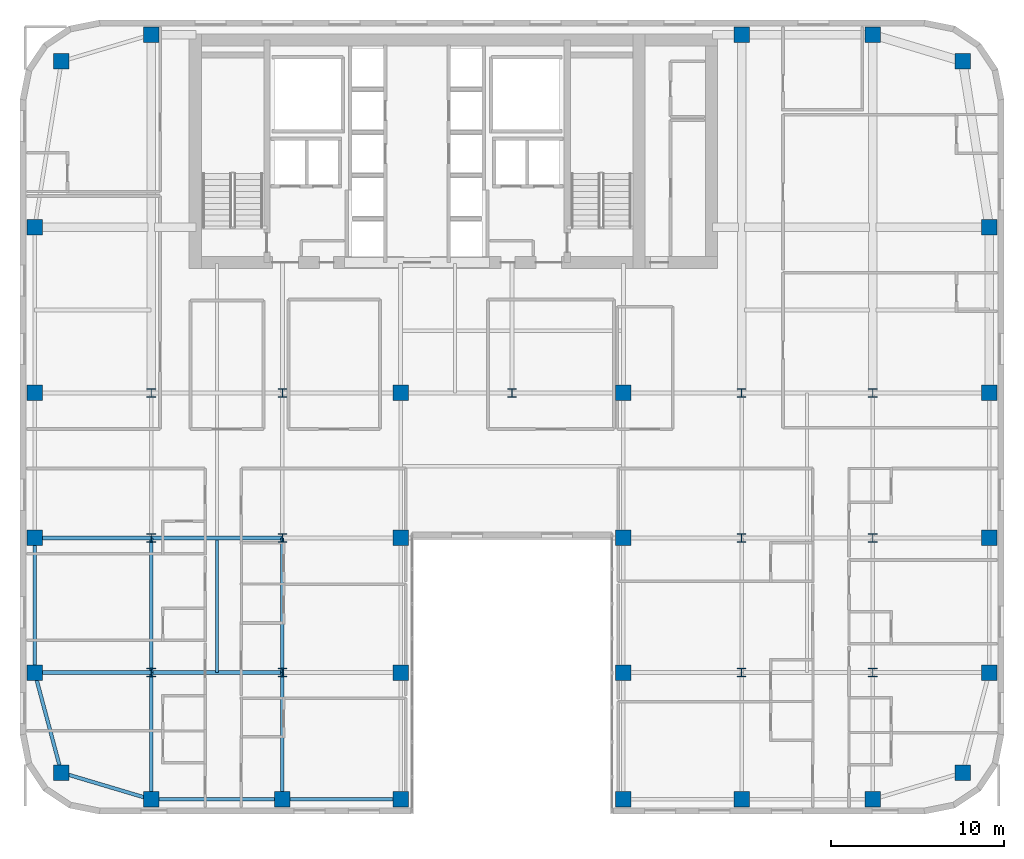
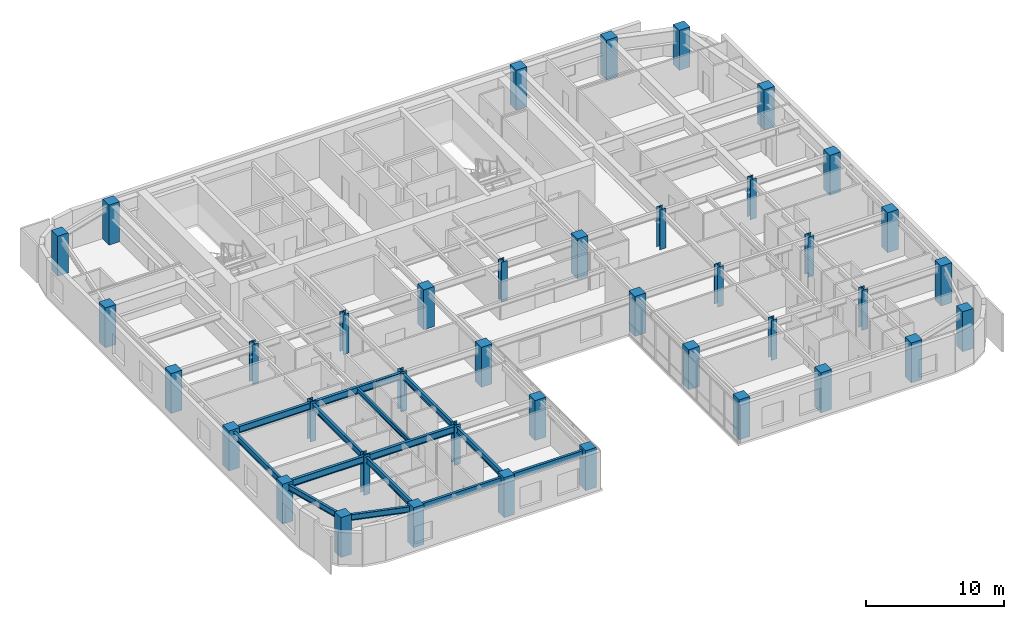
# One storey, part 1 of 17: 40 columns, 14 beams.
"""IFC4 building model written with IfcOpenShell, lengths in metres."""

from ifc_helpers import new_model, si_unit, direction, frame, origin, origin_2d, place, context, subcontext, project, spatial, rectangle, i_section, extrude, source, transform, mapped, material, material_profile, profile_set, type_object, type_shapes, element, save


model = new_model("IFC4")

# Units and contexts
model_context = context("Model", 3, precision=1e-05, world=origin(), true_north=direction((0.0, 1.0)))
body_context = subcontext(model_context, "Body", "Model", "MODEL_VIEW")
ifc_project = project(units=[si_unit("LENGTHUNIT", "METRE"), si_unit("AREAUNIT", "SQUARE_METRE"), si_unit("VOLUMEUNIT", "CUBIC_METRE"), si_unit("PLANEANGLEUNIT", "RADIAN"), si_unit("MASSUNIT", "GRAM", prefix="KILO")], contexts=[model_context])

# Site, building, storey
site_placement = place(None, origin())
site = spatial("IfcSite", under=ifc_project, at=site_placement, CompositionType="ELEMENT")
building_placement = place(site_placement, origin())
building = spatial("IfcBuilding", under=site, at=building_placement, Name="Tolvann Quenvar Hotel", CompositionType="ELEMENT")
storey_placement = place(building_placement, frame((0.0, 0.0, 136.39990234375)))
storey = spatial("IfcBuildingStorey", under=building, at=storey_placement, Name="L35", CompositionType="ELEMENT", Elevation=136.39990234375)

# Columns
ifc_material_1 = material(Name="Concrete S65 (65 MPa)", Category="concrete")
ifc_material_profile_1 = material_profile(ifc_material_1, rectangle(XDim=0.89990234375, YDim=0.89990234375, at=origin_2d()), Name="RC900x900")
ifc_profile_set_1 = profile_set([ifc_material_profile_1], Name="Concrete S65 (65 MPa)")
column_type_1 = type_object("IfcColumnType", Name="COL_RC900", PredefinedType="COLUMN", material=ifc_profile_set_1)
shared_shape_1 = source(origin(), body_context, "Body", "SweptSolid", [
    extrude(rectangle(XDim=0.89990234375, YDim=0.89990234375, at=origin_2d()), origin(), (0.0, 0.0, 1.0), 3.550048828125),
])
type_shapes(column_type_1, [shared_shape_1])
for number, where, z_axis, x_axis, name in (
    (1, (2.39990234375, 2.39990234375, 0.0), (0.0, 0.0, 1.0), (1.0, 0.0, 0.0), "Column B2 (L35)"),
    (2, (0.85009765625, 8.199951171875, 0.0), (0.0, 0.0, 1.0), (1.0, 0.0, 0.0), "Column B3 (L35)"),
    (3, (0.85009765625, 16.0, 0.0), (0.0, 0.0, 1.0), (1.0, 0.0, 0.0), "Column B4 (L35)"),
    (4, (0.85009765625, 24.39990234375, 0.0), (0.0, 0.0, 1.0), (1.0, 0.0, 0.0), "Column B5 (L35)"),
    (5, (7.60009765625, 0.85009765625, 0.0), (0.0, 0.0, 1.0), (1.0, 0.0, 0.0), "Column C2 (L35)"),
    (6, (15.199951171875, 0.85009765625, 0.0), (0.0, 0.0, 1.0), (1.0, 0.0, 0.0), "Column D2 (L35)"),
    (7, (22.050048828125, 0.85009765625, 0.0), (0.0, 0.0, 1.0), (1.0, 0.0, 0.0), "Column E2 (L35)"),
    (8, (22.050048828125, 8.199951171875, 0.0), (0.0, 0.0, 1.0), (1.0, 0.0, 0.0), "Column E3 (L35)"),
    (9, (22.050048828125, 16.0, 0.0), (0.0, 0.0, 1.0), (1.0, 0.0, 0.0), "Column E4 (L35)"),
    (10, (22.050048828125, 24.39990234375, 0.0), (0.0, 0.0, 1.0), (1.0, 0.0, 0.0), "Column E5 (L35)"),
    (11, (34.949951171875, 0.85009765625, 0.0), (0.0, 0.0, 1.0), (1.0, 0.0, 0.0), "Column F2 (L35)"),
    (12, (34.949951171875, 8.199951171875, 0.0), (0.0, 0.0, 1.0), (1.0, 0.0, 0.0), "Column F3 (L35)"),
    (13, (34.949951171875, 16.0, 0.0), (0.0, 0.0, 1.0), (1.0, 0.0, 0.0), "Column F4 (L35)"),
    (14, (34.949951171875, 24.39990234375, 0.0), (0.0, 0.0, 1.0), (1.0, 0.0, 0.0), "Column F5 (L35)"),
    (15, (41.800048828125, 0.85009765625, 0.0), (0.0, 0.0, 1.0), (1.0, 0.0, 0.0), "Column H2 (L35)"),
    (16, (49.39990234375, 0.85009765625, 0.0), (0.0, 0.0, 1.0), (1.0, 0.0, 0.0), "Column I2 (L35)"),
    (17, (54.60009765625, 2.39990234375, 0.0), (0.0, 0.0, 1.0), (1.0, 0.0, 0.0), "Column J2 (L35)"),
    (18, (56.14990234375, 8.199951171875, 0.0), (0.0, 0.0, 1.0), (1.0, 0.0, 0.0), "Column J3 (L35)"),
    (19, (56.14990234375, 16.0, 0.0), (0.0, 0.0, 1.0), (1.0, 0.0, 0.0), "Column J4 (L35)"),
    (20, (56.14990234375, 24.39990234375, 0.0), (0.0, 0.0, 1.0), (1.0, 0.0, 0.0), "Column J5 (L35)"),
    (21, (2.39990234375, 43.60009765625, 0.0), (0.0, 0.0, 1.0), (1.0, 0.0, 0.0), "Column BN (L35)"),
    (22, (7.60009765625, 45.14990234375, 0.0), (0.0, 0.0, 1.0), (1.0, 0.0, 0.0), "Column CN (L35)"),
    (23, (0.85009765625, 34.0, 0.0), (0.0, 0.0, 1.0), (1.0, 0.0, 0.0), "Column BD6 (L35)"),
    (24, (41.800048828125, 45.14990234375, 0.0), (0.0, 0.0, 1.0), (1.0, 0.0, 0.0), "Column HN (L35)"),
    (25, (49.39990234375, 45.14990234375, 0.0), (0.0, 0.0, 1.0), (1.0, 0.0, 0.0), "Column IN (L35)"),
    (26, (54.60009765625, 43.60009765625, 0.0), (0.0, 0.0, 1.0), (1.0, 0.0, 0.0), "Column JN (L35)"),
    (27, (56.14990234375, 34.0, 0.0), (0.0, 0.0, 1.0), (1.0, 0.0, 0.0), "Column JD6 (L35)"),
):
    element("IfcColumn", number, at=place(storey_placement, frame(where, z_axis=z_axis, x_axis=x_axis)), inside=storey, type_object=column_type_1, Name=name, PredefinedType="COLUMN", context=body_context, shape_type="MappedRepresentation", body=[
        mapped(shared_shape_1, transform((0.0, 0.0, 0.0), x_axis=(1.0, 0.0, 0.0), y_axis=(0.0, 1.0, 0.0), z_axis=(0.0, 0.0, 1.0), scale=1.0)),
    ])
ifc_material_2 = material(Name="Steel Grade 350", Category="steel")
ifc_material_profile_2 = material_profile(ifc_material_2, i_section(OverallWidth=0.5, OverallDepth=0.5, WebThickness=0.02197265625, FlangeThickness=0.033935546875, at=origin_2d()), Name="500WC340")
ifc_profile_set_2 = profile_set([ifc_material_profile_2], Name="Steel Grade 350")
column_type_2 = type_object("IfcColumnType", Name="COL_500WC340", PredefinedType="COLUMN", material=ifc_profile_set_2)
shared_shape_2 = source(origin(), body_context, "Body", "SweptSolid", [
    extrude(i_section(OverallWidth=0.5, OverallDepth=0.5, WebThickness=0.02197265625, FlangeThickness=0.033935546875, at=origin_2d()), origin(), (0.0, 0.0, 1.0), 3.550048828125),
])
type_shapes(column_type_2, [shared_shape_2])
for number, where, z_axis, x_axis, name in (
    (28, (7.60009765625, 8.199951171875, 0.0), (0.0, 0.0, 1.0), (1.0, 0.0, 0.0), "Column C3 (L35)"),
    (29, (7.60009765625, 16.0, 0.0), (0.0, 0.0, 1.0), (1.0, 0.0, 0.0), "Column C4 (L35)"),
    (30, (7.60009765625, 24.39990234375, 0.0), (0.0, 0.0, 1.0), (1.0, 0.0, 0.0), "Column C5 (L35)"),
    (31, (15.199951171875, 8.199951171875, 0.0), (0.0, 0.0, 1.0), (1.0, 0.0, 0.0), "Column D3 (L35)"),
    (32, (15.199951171875, 16.0, 0.0), (0.0, 0.0, 1.0), (1.0, 0.0, 0.0), "Column D4 (L35)"),
    (33, (15.199951171875, 24.39990234375, 0.0), (0.0, 0.0, 1.0), (1.0, 0.0, 0.0), "Column D5 (L35)"),
    (34, (41.800048828125, 8.199951171875, 0.0), (0.0, 0.0, 1.0), (1.0, 0.0, 0.0), "Column H3 (L35)"),
    (35, (41.800048828125, 16.0, 0.0), (0.0, 0.0, 1.0), (1.0, 0.0, 0.0), "Column H4 (L35)"),
    (36, (41.800048828125, 24.39990234375, 0.0), (0.0, 0.0, 1.0), (1.0, 0.0, 0.0), "Column H5 (L35)"),
    (37, (49.39990234375, 8.199951171875, 0.0), (0.0, 0.0, 1.0), (1.0, 0.0, 0.0), "Column I3 (L35)"),
    (38, (49.39990234375, 16.0, 0.0), (0.0, 0.0, 1.0), (1.0, 0.0, 0.0), "Column I4 (L35)"),
    (39, (49.39990234375, 24.39990234375, 0.0), (0.0, 0.0, 1.0), (1.0, 0.0, 0.0), "Column I5 (L35)"),
    (40, (28.5, 24.39990234375, 0.0), (0.0, 0.0, 1.0), (1.0, 0.0, 0.0), "Column M5 (L35)"),
):
    element("IfcColumn", number, at=place(storey_placement, frame(where, z_axis=z_axis, x_axis=x_axis)), inside=storey, type_object=column_type_2, Name=name, PredefinedType="COLUMN", context=body_context, shape_type="MappedRepresentation", body=[
        mapped(shared_shape_2, transform((0.0, 0.0, 0.0), x_axis=(1.0, 0.0, 0.0), y_axis=(0.0, 1.0, 0.0), z_axis=(0.0, 0.0, 1.0), scale=1.0)),
    ])

# Beams
ifc_material_profile_3 = material_profile(ifc_material_2, i_section(OverallWidth=0.208984375, OverallDepth=0.528076171875, WebThickness=0.009521484375, FlangeThickness=0.01318359375, FilletRadius=0.013916015625, at=origin_2d()), Name="530UB82")
ifc_profile_set_3 = profile_set([ifc_material_profile_3], Name="Steel Grade 350")
beam_type_1 = type_object("IfcBeamType", Name="BM_SPAND_530UB82", PredefinedType="SPANDREL", material=ifc_profile_set_3)
shared_shape_3 = source(origin(), body_context, "Body", "SweptSolid", [
    extrude(i_section(OverallWidth=0.208984375, OverallDepth=0.528076171875, WebThickness=0.009521484375, FlangeThickness=0.01318359375, FilletRadius=0.013916015625, at=origin_2d()), origin(), (0.0, 0.0, 1.0), 5.42626953125),
])
beam_1_placement = place(storey_placement, frame((2.39990234375, 2.39990234375, 3.106201171875), z_axis=(0.958344815522, -0.285613750654, 0.0), x_axis=(0.285613750654, 0.958344815522, 0.0)))
element("IfcBeam", 41, at=beam_1_placement, inside=storey, type_object=beam_type_1, Name="BM-L35-EW-2-B2-C2", PredefinedType="SPANDREL", context=body_context, shape_type="MappedRepresentation", body=[
    mapped(shared_shape_3, transform((0.0, 0.0, 0.0), x_axis=(1.0, 0.0, 0.0), y_axis=(0.0, 1.0, 0.0), z_axis=(0.0, 0.0, 1.0), scale=1.0)),
])
shared_shape_4 = source(origin(), body_context, "Body", "SweptSolid", [
    extrude(i_section(OverallWidth=0.208984375, OverallDepth=0.528076171875, WebThickness=0.009521484375, FlangeThickness=0.01318359375, FilletRadius=0.013916015625, at=origin_2d()), origin(), (0.0, 0.0, 1.0), 7.599853515625),
])
beam_2_placement = place(storey_placement, frame((7.60009765625, 0.85009765625, 3.106201171875), z_axis=(1.0, 0.0, 0.0), x_axis=(0.0, 1.0, 0.0)))
element("IfcBeam", 42, at=beam_2_placement, inside=storey, type_object=beam_type_1, Name="BM-L35-EW-2-C2-D2", PredefinedType="SPANDREL", context=body_context, shape_type="MappedRepresentation", body=[
    mapped(shared_shape_4, transform((0.0, 0.0, 0.0), x_axis=(1.0, 0.0, 0.0), y_axis=(0.0, 1.0, 0.0), z_axis=(0.0, 0.0, 1.0), scale=1.0)),
])
shared_shape_5 = source(origin(), body_context, "Body", "SweptSolid", [
    extrude(i_section(OverallWidth=0.208984375, OverallDepth=0.528076171875, WebThickness=0.009521484375, FlangeThickness=0.01318359375, FilletRadius=0.013916015625, at=origin_2d()), origin(), (0.0, 0.0, 1.0), 6.85009765625),
])
beam_3_placement = place(storey_placement, frame((15.199951171875, 0.85009765625, 3.106201171875), z_axis=(1.0, 0.0, 0.0), x_axis=(0.0, 1.0, 0.0)))
element("IfcBeam", 43, at=beam_3_placement, inside=storey, type_object=beam_type_1, Name="BM-L35-EW-2-D2-E2", PredefinedType="SPANDREL", context=body_context, shape_type="MappedRepresentation", body=[
    mapped(shared_shape_5, transform((0.0, 0.0, 0.0), x_axis=(1.0, 0.0, 0.0), y_axis=(0.0, 1.0, 0.0), z_axis=(0.0, 0.0, 1.0), scale=1.0)),
])
ifc_material_profile_4 = material_profile(ifc_material_2, i_section(OverallWidth=0.22900390625, OverallDepth=0.612060546875, WebThickness=0.011962890625, FlangeThickness=0.01953125, FilletRadius=0.013916015625, at=origin_2d()), Name="610UB125")
ifc_profile_set_4 = profile_set([ifc_material_profile_4], Name="Steel Grade 350")
beam_type_2 = type_object("IfcBeamType", Name="BM_GIRD_610UB125", PredefinedType="BEAM", material=ifc_profile_set_4)
shared_shape_6 = source(origin(), body_context, "Body", "SweptSolid", [
    extrude(i_section(OverallWidth=0.22900390625, OverallDepth=0.612060546875, WebThickness=0.011962890625, FlangeThickness=0.01953125, FilletRadius=0.013916015625, at=origin_2d()), origin(), (0.0, 0.0, 1.0), 6.75),
])
for number, where, z_axis, x_axis, name in (
    (44, (0.85009765625, 8.199951171875, 3.064208984375), (1.0, 0.0, 0.0), (0.0, 1.0, 0.0), "BM-L35-EW-3-B3-C3"),
    (45, (0.85009765625, 16.0, 3.064208984375), (1.0, 0.0, 0.0), (0.0, 1.0, 0.0), "BM-L35-EW-4-B4-C4"),
):
    element("IfcBeam", number, at=place(storey_placement, frame(where, z_axis=z_axis, x_axis=x_axis)), inside=storey, type_object=beam_type_2, Name=name, PredefinedType="BEAM", context=body_context, shape_type="MappedRepresentation", body=[
        mapped(shared_shape_6, transform((0.0, 0.0, 0.0), x_axis=(1.0, 0.0, 0.0), y_axis=(0.0, 1.0, 0.0), z_axis=(0.0, 0.0, 1.0), scale=1.0)),
    ])
shared_shape_7 = source(origin(), body_context, "Body", "SweptSolid", [
    extrude(i_section(OverallWidth=0.22900390625, OverallDepth=0.612060546875, WebThickness=0.011962890625, FlangeThickness=0.01953125, FilletRadius=0.013916015625, at=origin_2d()), origin(), (0.0, 0.0, 1.0), 7.599853515625),
])
type_shapes(beam_type_2, [shared_shape_6, shared_shape_7])
for number, where, z_axis, x_axis, name in (
    (46, (7.60009765625, 8.199951171875, 3.064208984375), (1.0, 0.0, 0.0), (0.0, 1.0, 0.0), "BM-L35-EW-3-C3-D3"),
    (47, (7.60009765625, 16.0, 3.064208984375), (1.0, 0.0, 0.0), (0.0, 1.0, 0.0), "BM-L35-EW-4-C4-D4"),
):
    element("IfcBeam", number, at=place(storey_placement, frame(where, z_axis=z_axis, x_axis=x_axis)), inside=storey, type_object=beam_type_2, Name=name, PredefinedType="BEAM", context=body_context, shape_type="MappedRepresentation", body=[
        mapped(shared_shape_7, transform((0.0, 0.0, 0.0), x_axis=(1.0, 0.0, 0.0), y_axis=(0.0, 1.0, 0.0), z_axis=(0.0, 0.0, 1.0), scale=1.0)),
    ])
shared_shape_8 = source(origin(), body_context, "Body", "SweptSolid", [
    extrude(i_section(OverallWidth=0.208984375, OverallDepth=0.528076171875, WebThickness=0.009521484375, FlangeThickness=0.01318359375, FilletRadius=0.013916015625, at=origin_2d()), origin(), (0.0, 0.0, 1.0), 6.00341796875),
])
beam_4_placement = place(storey_placement, frame((2.39990234375, 2.39990234375, 3.106201171875), z_axis=(-0.258148586649, 0.966105225745, 0.0), x_axis=(-0.966105225745, -0.258148586649, 0.0)))
element("IfcBeam", 48, at=beam_4_placement, inside=storey, type_object=beam_type_1, Name="BM-L35-NS-B2-B3", PredefinedType="SPANDREL", context=body_context, shape_type="MappedRepresentation", body=[
    mapped(shared_shape_8, transform((0.0, 0.0, 0.0), x_axis=(1.0, 0.0, 0.0), y_axis=(0.0, 1.0, 0.0), z_axis=(0.0, 0.0, 1.0), scale=1.0)),
])
shared_shape_9 = source(origin(), body_context, "Body", "SweptSolid", [
    extrude(i_section(OverallWidth=0.208984375, OverallDepth=0.528076171875, WebThickness=0.009521484375, FlangeThickness=0.01318359375, FilletRadius=0.013916015625, at=origin_2d()), origin(), (0.0, 0.0, 1.0), 7.800048828125),
])
type_shapes(beam_type_1, [shared_shape_3, shared_shape_4, shared_shape_5, shared_shape_8, shared_shape_9])
beam_5_placement = place(storey_placement, frame((0.85009765625, 8.199951171875, 3.106201171875), z_axis=(0.0, 1.0, 0.0), x_axis=(-1.0, 0.0, 0.0)))
element("IfcBeam", 49, at=beam_5_placement, inside=storey, type_object=beam_type_1, Name="BM-L35-NS-B3-B4", PredefinedType="SPANDREL", context=body_context, shape_type="MappedRepresentation", body=[
    mapped(shared_shape_9, transform((0.0, 0.0, 0.0), x_axis=(1.0, 0.0, 0.0), y_axis=(0.0, 1.0, 0.0), z_axis=(0.0, 0.0, 1.0), scale=1.0)),
])
ifc_material_profile_5 = material_profile(ifc_material_2, i_section(OverallWidth=0.208984375, OverallDepth=0.532958984375, WebThickness=0.01025390625, FlangeThickness=0.015625, FilletRadius=0.013916015625, at=origin_2d()), Name="530UB92")
ifc_profile_set_5 = profile_set([ifc_material_profile_5], Name="Steel Grade 350")
beam_type_3 = type_object("IfcBeamType", Name="BM_GIRD_530UB92", PredefinedType="BEAM", material=ifc_profile_set_5)
shared_shape_10 = source(origin(), body_context, "Body", "SweptSolid", [
    extrude(i_section(OverallWidth=0.208984375, OverallDepth=0.532958984375, WebThickness=0.01025390625, FlangeThickness=0.015625, FilletRadius=0.013916015625, at=origin_2d()), origin(), (0.0, 0.0, 1.0), 7.349853515625),
])
for number, where, z_axis, x_axis, name in (
    (50, (7.60009765625, 0.85009765625, 3.103515625), (0.0, 1.0, 0.0), (-1.0, 0.0, 0.0), "BM-L35-NS-C2-C3"),
    (51, (15.199951171875, 0.85009765625, 3.103515625), (0.0, 1.0, 0.0), (-1.0, 0.0, 0.0), "BM-L35-NS-D2-D3"),
):
    element("IfcBeam", number, at=place(storey_placement, frame(where, z_axis=z_axis, x_axis=x_axis)), inside=storey, type_object=beam_type_3, Name=name, PredefinedType="BEAM", context=body_context, shape_type="MappedRepresentation", body=[
        mapped(shared_shape_10, transform((0.0, 0.0, 0.0), x_axis=(1.0, 0.0, 0.0), y_axis=(0.0, 1.0, 0.0), z_axis=(0.0, 0.0, 1.0), scale=1.0)),
    ])
shared_shape_11 = source(origin(), body_context, "Body", "SweptSolid", [
    extrude(i_section(OverallWidth=0.208984375, OverallDepth=0.532958984375, WebThickness=0.01025390625, FlangeThickness=0.015625, FilletRadius=0.013916015625, at=origin_2d()), origin(), (0.0, 0.0, 1.0), 7.800048828125),
])
type_shapes(beam_type_3, [shared_shape_10, shared_shape_11])
for number, where, z_axis, x_axis, name in (
    (52, (7.60009765625, 8.199951171875, 3.103515625), (0.0, 1.0, 0.0), (-1.0, 0.0, 0.0), "BM-L35-NS-C3-C4"),
    (53, (15.199951171875, 8.199951171875, 3.103515625), (0.0, 1.0, 0.0), (-1.0, 0.0, 0.0), "BM-L35-NS-D3-D4"),
):
    element("IfcBeam", number, at=place(storey_placement, frame(where, z_axis=z_axis, x_axis=x_axis)), inside=storey, type_object=beam_type_3, Name=name, PredefinedType="BEAM", context=body_context, shape_type="MappedRepresentation", body=[
        mapped(shared_shape_11, transform((0.0, 0.0, 0.0), x_axis=(1.0, 0.0, 0.0), y_axis=(0.0, 1.0, 0.0), z_axis=(0.0, 0.0, 1.0), scale=1.0)),
    ])
ifc_material_profile_6 = material_profile(ifc_material_2, i_section(OverallWidth=0.177978515625, OverallDepth=0.406005859375, WebThickness=0.0078125, FlangeThickness=0.0126953125, FilletRadius=0.011474609375, at=origin_2d()), Name="410UB60")
ifc_profile_set_6 = profile_set([ifc_material_profile_6], Name="Steel Grade 350")
beam_type_4 = type_object("IfcBeamType", Name="BM_JOIST_410UB60", PredefinedType="JOIST", material=ifc_profile_set_6)
shared_shape_12 = source(origin(), body_context, "Body", "SweptSolid", [
    extrude(i_section(OverallWidth=0.177978515625, OverallDepth=0.406005859375, WebThickness=0.0078125, FlangeThickness=0.0126953125, FilletRadius=0.011474609375, at=origin_2d()), origin(), (0.0, 0.0, 1.0), 7.691650390625),
])
type_shapes(beam_type_4, [shared_shape_12])
beam_6_placement = place(storey_placement, frame((11.39990234375, 8.199951171875, 3.1669921875), z_axis=(0.0, 1.0, 0.0), x_axis=(-1.0, 0.0, 0.0)))
element("IfcBeam", 54, at=beam_6_placement, inside=storey, type_object=beam_type_4, Name="BJ-L35-114-82", PredefinedType="JOIST", context=body_context, shape_type="MappedRepresentation", body=[
    mapped(shared_shape_12, transform((0.0, 0.0, 0.0), x_axis=(1.0, 0.0, 0.0), y_axis=(0.0, 1.0, 0.0), z_axis=(0.0, 0.0, 1.0), scale=1.0)),
])

save(model, "model.ifc")
